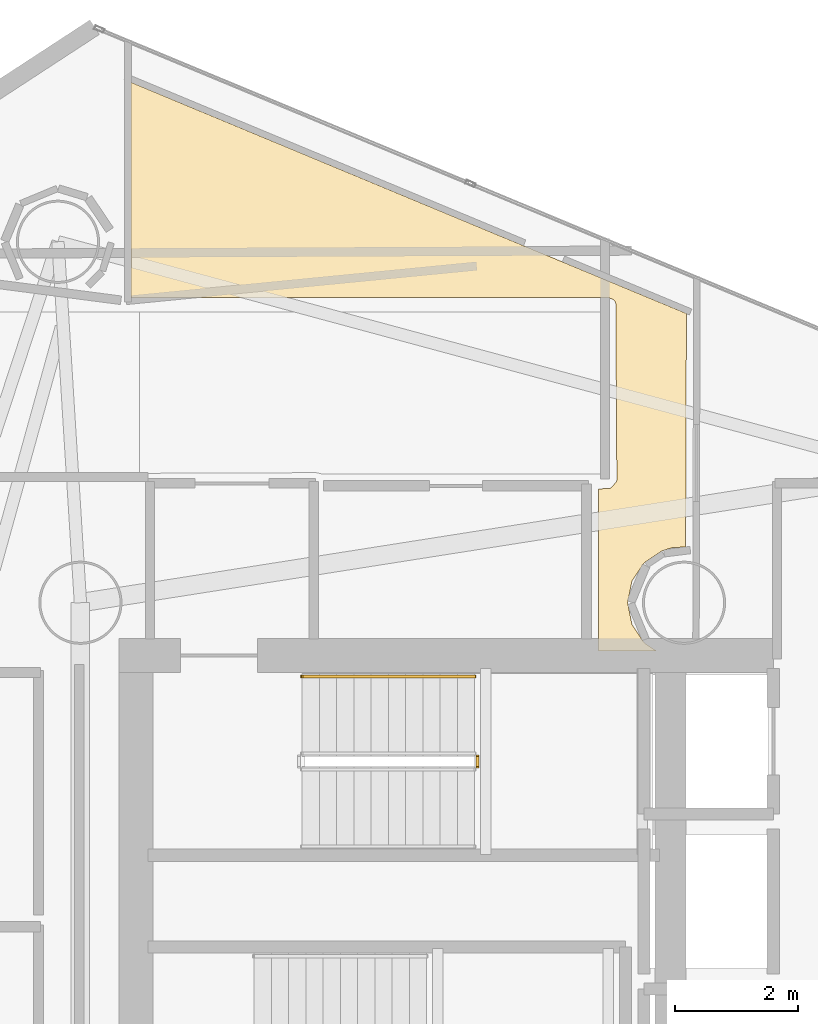
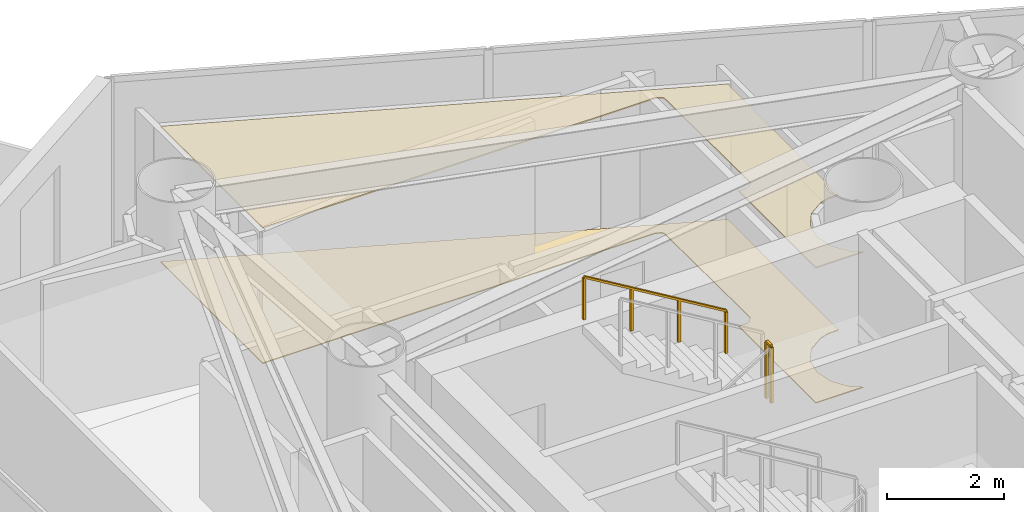
# One storey, part 22 of 22: 2 coverings, 2 railings.
"""IFC4 building model written with IfcOpenShell, lengths in metres."""

from ifc_helpers import new_model, si_unit, direction, frame, origin, origin_2d, place, context, subcontext, project, spatial, polyline, rectangle, outline, extrude, material, layer, layer_set, type_object, element, save


model = new_model("IFC4")

# Units and contexts
model_context = context("Model", 3, precision=1e-05, world=origin(), true_north=direction((0.0, 1.0)))
body_context = subcontext(model_context, "Body", "Model", "MODEL_VIEW")
ifc_project = project(units=[si_unit("LENGTHUNIT", "METRE"), si_unit("AREAUNIT", "SQUARE_METRE"), si_unit("VOLUMEUNIT", "CUBIC_METRE"), si_unit("PLANEANGLEUNIT", "RADIAN"), si_unit("MASSUNIT", "GRAM", prefix="KILO")], contexts=[model_context])

# Site, building, storey
site_placement = place(None, origin())
site = spatial("IfcSite", under=ifc_project, at=site_placement, CompositionType="ELEMENT")
building_placement = place(site_placement, origin())
building = spatial("IfcBuilding", under=site, at=building_placement, Name="Qianvela Tower", CompositionType="ELEMENT")
storey_placement = place(building_placement, frame((0.0, 0.0, 155.0)))
storey = spatial("IfcBuildingStorey", under=building, at=storey_placement, Name="L39", CompositionType="ELEMENT", Elevation=155.0)

# Coverings
ifc_material_1 = material(Name="Perforated Mineral Acoustic Ceiling Tile")
ifc_layer_1 = layer(ifc_material_1, 0.02490234375)
ifc_layer_set_1 = layer_set([ifc_layer_1], Name="Perforated Mineral Acoustic Ceiling Tile")
covering_type_1 = type_object("IfcCoveringType", Name="COV-CEIL-ACOUSTIC-25", PredefinedType="CEILING", material=ifc_layer_set_1)
covering_1_placement = place(storey_placement, frame((0.0, 0.0, 2.81494140625)))
element("IfcCovering", 1, at=covering_1_placement, inside=storey, type_object=covering_type_1, Name="L39 Acoustic Ceiling Quiet Reading Study L39-04", PredefinedType="CEILING", context=body_context, shape_type="SweptSolid", body=[
    extrude(outline(polyline([(37.94921875, 32.77001953125), (37.010009765625, 32.77001953125), (37.010009765625, 35.400390625), (37.166015625, 35.401611328125), (37.17431640625, 35.402099609375), (37.1826171875, 35.4033203125), (37.1904296875, 35.405517578125), (37.1982421875, 35.408447265625), (37.20556640625, 35.412353515625), (37.212646484375, 35.416748046875), (37.218994140625, 35.422119140625), (37.224853515625, 35.427734375), (37.288818359375, 35.498291015625), (37.293701171875, 35.504150390625), (37.2978515625, 35.51025390625), (37.301513671875, 35.516845703125), (37.30419921875, 35.523681640625), (37.306640625, 35.530517578125), (37.308349609375, 35.537841796875), (37.309326171875, 35.545166015625), (37.3095703125, 35.552734375), (37.291748046875, 38.4013671875), (37.29150390625, 38.409423828125), (37.2900390625, 38.41748046875), (37.2880859375, 38.42529296875), (37.28515625, 38.43310546875), (37.281494140625, 38.440185546875), (37.277099609375, 38.447021484375), (37.27197265625, 38.45361328125), (37.266357421875, 38.45947265625), (37.260009765625, 38.464599609375), (37.253173828125, 38.46923828125), (37.24609375, 38.47314453125), (37.18408203125, 38.502197265625), (37.176025390625, 38.505615234375), (37.16748046875, 38.508056640625), (37.15869140625, 38.509521484375), (37.14990234375, 38.510009765625), (29.422119140625, 38.510009765625), (29.422119140625, 41.998046875), (38.4384765625, 38.24609375), (38.426025390625, 34.452880859375), (38.2353515625, 34.448974609375), (38.22802734375, 34.448486328125), (38.220947265625, 34.447265625), (38.2138671875, 34.445556640625), (38.05712890625, 34.39794921875), (38.0498046875, 34.395263671875), (38.042724609375, 34.39208984375), (38.035888671875, 34.387939453125), (37.76513671875, 34.20703125), (37.7587890625, 34.202392578125), (37.7529296875, 34.197021484375), (37.747802734375, 34.191162109375), (37.742919921875, 34.184814453125), (37.56201171875, 33.9140625), (37.55810546875, 33.9072265625), (37.5546875, 33.900146484375), (37.552001953125, 33.892822265625), (37.550048828125, 33.885009765625), (37.486572265625, 33.565673828125), (37.4853515625, 33.557861328125), (37.485107421875, 33.550048828125), (37.4853515625, 33.542236328125), (37.486572265625, 33.534423828125), (37.550048828125, 33.21484375), (37.552001953125, 33.207275390625), (37.5546875, 33.19970703125), (37.55810546875, 33.192626953125), (37.56201171875, 33.18603515625), (37.742919921875, 32.9150390625), (37.747802734375, 32.90869140625), (37.7529296875, 32.903076171875), (37.7587890625, 32.897705078125), (37.76513671875, 32.89306640625), (37.94921875, 32.77001953125)])), origin(), (0.0, 0.0, 1.0), 0.025146484375),
])
ifc_material_2 = material(Name="Engineered Acoustic Oak Timber Flooring", Category="wood")
ifc_layer_2 = layer(ifc_material_2, 0.02001953125)
ifc_layer_set_2 = layer_set([ifc_layer_2], Name="Engineered Acoustic Oak Timber Flooring")
covering_type_2 = type_object("IfcCoveringType", Name="COV-FLOOR-OAK-20", PredefinedType="FLOORING", material=ifc_layer_set_2)
covering_2_placement = place(storey_placement, origin())
element("IfcCovering", 2, at=covering_2_placement, inside=storey, type_object=covering_type_2, Name="L39 Finish Flooring Quiet Reading Study L39-04", PredefinedType="FLOORING", context=body_context, shape_type="SweptSolid", body=[
    extrude(outline(polyline([(37.94921875, 32.77001953125), (37.010009765625, 32.77001953125), (37.010009765625, 35.400390625), (37.166015625, 35.401611328125), (37.17431640625, 35.402099609375), (37.1826171875, 35.4033203125), (37.1904296875, 35.405517578125), (37.1982421875, 35.408447265625), (37.20556640625, 35.412353515625), (37.212646484375, 35.416748046875), (37.218994140625, 35.422119140625), (37.224853515625, 35.427734375), (37.288818359375, 35.498291015625), (37.293701171875, 35.504150390625), (37.2978515625, 35.51025390625), (37.301513671875, 35.516845703125), (37.30419921875, 35.523681640625), (37.306640625, 35.530517578125), (37.308349609375, 35.537841796875), (37.309326171875, 35.545166015625), (37.3095703125, 35.552734375), (37.291748046875, 38.4013671875), (37.29150390625, 38.409423828125), (37.2900390625, 38.41748046875), (37.2880859375, 38.42529296875), (37.28515625, 38.43310546875), (37.281494140625, 38.440185546875), (37.277099609375, 38.447021484375), (37.27197265625, 38.45361328125), (37.266357421875, 38.45947265625), (37.260009765625, 38.464599609375), (37.253173828125, 38.46923828125), (37.24609375, 38.47314453125), (37.18408203125, 38.502197265625), (37.176025390625, 38.505615234375), (37.16748046875, 38.508056640625), (37.15869140625, 38.509521484375), (37.14990234375, 38.510009765625), (29.422119140625, 38.510009765625), (29.422119140625, 41.998046875), (38.4384765625, 38.24609375), (38.426025390625, 34.452880859375), (38.2353515625, 34.448974609375), (38.22802734375, 34.448486328125), (38.220947265625, 34.447265625), (38.2138671875, 34.445556640625), (38.05712890625, 34.39794921875), (38.0498046875, 34.395263671875), (38.042724609375, 34.39208984375), (38.035888671875, 34.387939453125), (37.76513671875, 34.20703125), (37.7587890625, 34.202392578125), (37.7529296875, 34.197021484375), (37.747802734375, 34.191162109375), (37.742919921875, 34.184814453125), (37.56201171875, 33.9140625), (37.55810546875, 33.9072265625), (37.5546875, 33.900146484375), (37.552001953125, 33.892822265625), (37.550048828125, 33.885009765625), (37.486572265625, 33.565673828125), (37.4853515625, 33.557861328125), (37.485107421875, 33.550048828125), (37.4853515625, 33.542236328125), (37.486572265625, 33.534423828125), (37.550048828125, 33.21484375), (37.552001953125, 33.207275390625), (37.5546875, 33.19970703125), (37.55810546875, 33.192626953125), (37.56201171875, 33.18603515625), (37.742919921875, 32.9150390625), (37.747802734375, 32.90869140625), (37.7529296875, 32.903076171875), (37.7587890625, 32.897705078125), (37.76513671875, 32.89306640625), (37.94921875, 32.77001953125)])), origin(), (0.0, 0.0, 1.0), 0.02001953125),
])

# Railings
ifc_material_3 = material(Name="Painted Tubular Steel Q355B", Category="steel")
railing_type_1 = type_object("IfcRailingType", Name="RL-STAIR-GUARD-1200", PredefinedType="GUARDRAIL", material=ifc_material_3)
railing_1_placement = place(storey_placement, frame((35.050048828125, 30.889892578125, 1.85009765625)))
element("IfcRailing", 3, at=railing_1_placement, inside=storey, type_object=railing_type_1, Name="L39 ST-1 stair guard 2", PredefinedType="GUARDRAIL", context=body_context, shape_type="SweptSolid", body=[
    extrude(rectangle(XDim=0.050048828125, YDim=0.0400390625, at=origin_2d()), frame((0.0, 0.0, 1.179931640625), z_axis=(0.0, 1.0, 0.0), x_axis=(-1.0, 0.0, 0.0)), (0.0, 0.0, 1.0), 0.16015625),
    extrude(rectangle(XDim=0.050048828125, YDim=0.050048828125, at=origin_2d()), origin(), (0.0, 0.0, 1.0), 1.159912109375),
    extrude(rectangle(XDim=0.050048828125, YDim=0.050048828125, at=origin_2d()), frame((0.0, 0.16015625, 0.0)), (0.0, 0.0, 1.0), 1.159912109375),
])
ifc_material_4 = material(Name="Brushed Stainless Steel 304", Category="steel")
railing_type_2 = type_object("IfcRailingType", Name="RL-STAIR-HANDRAIL-900", PredefinedType="HANDRAIL", material=ifc_material_4)
railing_2_placement = place(storey_placement, frame((35.0, 32.35009765625, 2.01806640625)))
element("IfcRailing", 4, at=railing_2_placement, inside=storey, type_object=railing_type_2, Name="L39 ST-1 stair handrail 2", PredefinedType="HANDRAIL", context=body_context, shape_type="SweptSolid", body=[
    extrude(rectangle(XDim=0.050048828125, YDim=0.0400390625, at=origin_2d()), frame((0.0, 0.0, 0.8798828125), z_axis=(-0.857242210791, 0.0, 0.514913383045), x_axis=(0.0, -1.0, 0.0)), (0.0, 0.0, 1.0), 3.266357421875),
    extrude(rectangle(XDim=0.050048828125, YDim=0.050048828125, at=origin_2d()), origin(), (0.0, 0.0, 1.0), 0.85986328125),
    extrude(rectangle(XDim=0.050048828125, YDim=0.050048828125, at=origin_2d()), frame((-0.933349609375, 0.0, 0.560546875)), (0.0, 0.0, 1.0), 0.85986328125),
    extrude(rectangle(XDim=0.050048828125, YDim=0.050048828125, at=origin_2d()), frame((-1.86669921875, 0.0, 1.121337890625)), (0.0, 0.0, 1.0), 0.85986328125),
    extrude(rectangle(XDim=0.050048828125, YDim=0.050048828125, at=origin_2d()), frame((-2.800048828125, 0.0, 1.681884765625)), (0.0, 0.0, 1.0), 0.85986328125),
])

save(model, "model.ifc")
